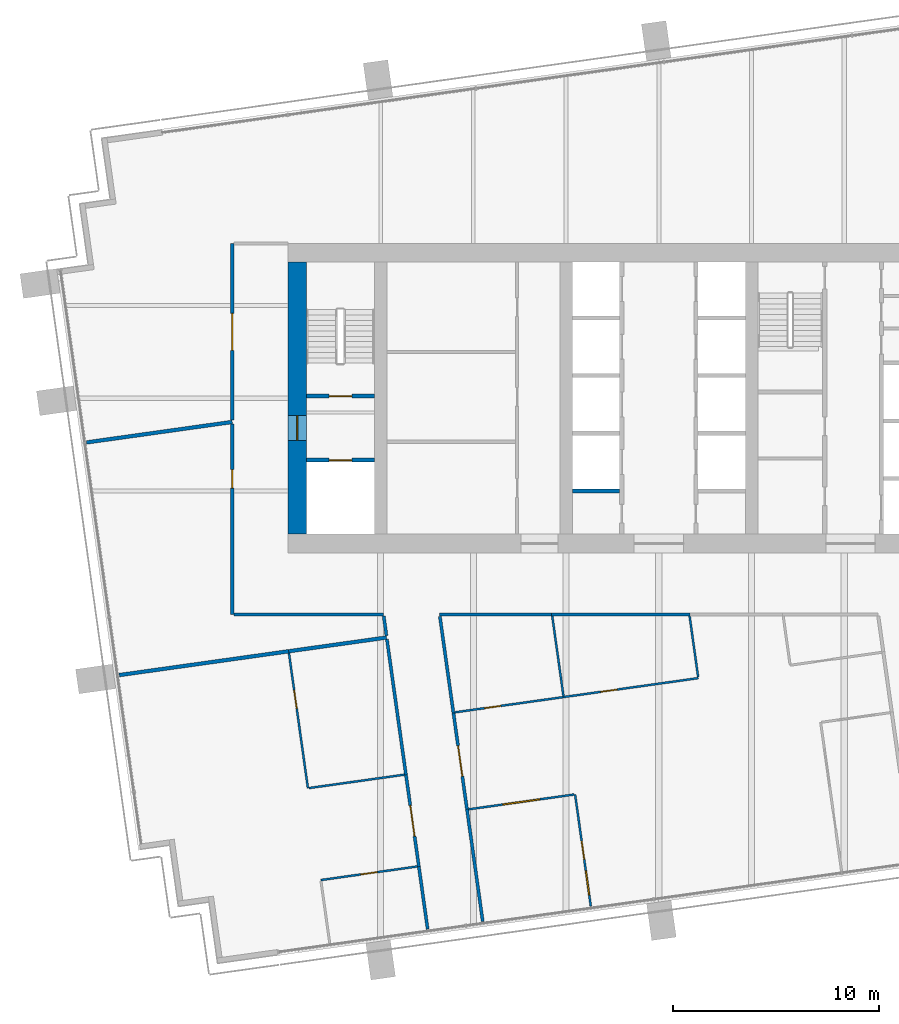
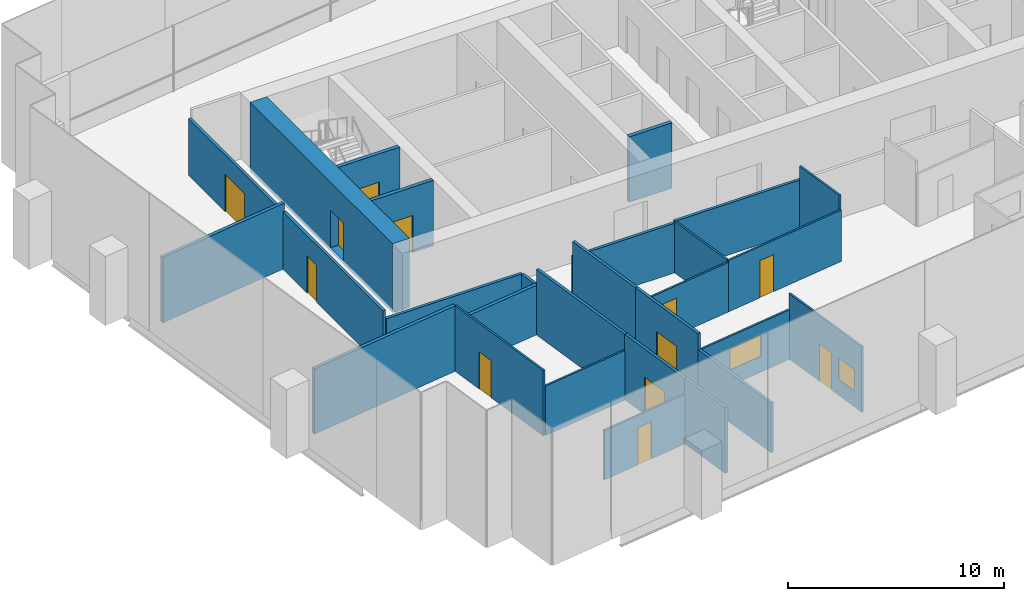
# One storey, part 9 of 17: 28 walls, 12 doors, 2 windows, 14 openings.
"""IFC4 building model written with IfcOpenShell, lengths in metres."""

from ifc_helpers import new_model, si_unit, direction, frame, frame_2d, origin, place, context, subcontext, project, spatial, rectangle, extrude, material, layer, layer_set, type_object, element, fill, save


model = new_model("IFC4")

# Units and contexts
model_context = context("Model", 3, precision=1e-05, world=origin(), true_north=direction((0.0, 1.0)))
body_context = subcontext(model_context, "Body", "Model", "MODEL_VIEW")
ifc_project = project(units=[si_unit("LENGTHUNIT", "METRE"), si_unit("AREAUNIT", "SQUARE_METRE"), si_unit("VOLUMEUNIT", "CUBIC_METRE"), si_unit("PLANEANGLEUNIT", "RADIAN"), si_unit("MASSUNIT", "GRAM", prefix="KILO")], contexts=[model_context])

# Site, building, storey
site_placement = place(None, origin())
site = spatial("IfcSite", under=ifc_project, at=site_placement, CompositionType="ELEMENT")
building_placement = place(site_placement, origin())
building = spatial("IfcBuilding", under=site, at=building_placement, Name="Rattan Terrace Tower", CompositionType="ELEMENT")
storey_placement = place(building_placement, frame((0.0, 0.0, 180.199951171875)))
storey = spatial("IfcBuildingStorey", under=building, at=storey_placement, Name="L41", CompositionType="ELEMENT", Elevation=180.199951171875)

# Wall, opening, door
ifc_material_1 = material(Name="Gypsum board partition")
ifc_layer_1 = layer(ifc_material_1, 0.199951171875)
ifc_layer_set_1 = layer_set([ifc_layer_1], Name="Core partition 200")
wall_type_1 = type_object("IfcWallType", Name="Core partition 200", PredefinedType="PARTITIONING", material=ifc_layer_set_1)
wall_1_placement = place(storey_placement, frame((-17.10009765625, -3.0, 0.0), z_axis=(0.0, 0.0, 1.0), x_axis=(1.0, 0.0, 0.0)))
wall_1 = element("IfcWall", 1, at=wall_1_placement, inside=storey, type_object=wall_type_1, Name="Fire-fighting lobby wall", PredefinedType="PARTITIONING", context=body_context, shape_type="SweptSolid", body=[
    extrude(rectangle(XDim=3.300048828125, YDim=0.199951171875, at=frame_2d((1.64990234375, 0.0))), origin(), (0.0, 0.0, 1.0), 3.699951171875),
])
opening_1_placement = place(wall_1_placement, frame((1.10009765625, 0.0, 0.0)))
opening_1 = element("IfcOpeningElement", 2, at=opening_1_placement, cuts=wall_1, Name="Opening L41-LD-FF1", PredefinedType="OPENING", context=body_context, shape_type="SweptSolid", body=[
    extrude(rectangle(XDim=1.10009765625, YDim=2.10009765625, at=frame_2d((0.550048828125, 1.050048828125))), frame((0.0, 0.110595703125, 0.0), z_axis=(0.0, -1.0, 0.0), x_axis=(1.0, 0.0, 0.0)), (0.0, 0.0, 1.0), 0.220947265625),
])
ifc_material_2 = material(Name="Brushed stainless landing door panel")
door_type_1 = type_object("IfcDoorType", Name="Core lift landing door 1100", OperationType="DOUBLE_DOOR_SLIDING", PredefinedType="DOOR", material=ifc_material_2)
door_1_placement = place(opening_1_placement, origin())
door_1 = element("IfcDoor", 3, at=door_1_placement, inside=storey, type_object=door_type_1, Name="Door L41-LD-FF1", OperationType="DOUBLE_DOOR_SLIDING", OverallHeight=2.10009765625, OverallWidth=1.10009765625, PredefinedType="DOOR", context=body_context, shape_type="SweptSolid", body=[
    extrude(rectangle(XDim=1.10009765625, YDim=2.10009765625, at=frame_2d((0.550048828125, 1.050048828125))), frame((0.0, 0.02490234375, 0.0), z_axis=(0.0, -1.0, 0.0), x_axis=(1.0, 0.0, 0.0)), (0.0, 0.0, 1.0), 0.050048828125),
])
fill(opening_1, door_1)

wall_2_placement = place(storey_placement, frame((-17.10009765625, 0.10009765625, 0.0), z_axis=(0.0, 0.0, 1.0), x_axis=(1.0, 0.0, 0.0)))
wall_2 = element("IfcWall", 4, at=wall_2_placement, inside=storey, type_object=wall_type_1, Name="Stair enclosure wall", PredefinedType="PARTITIONING", context=body_context, shape_type="SweptSolid", body=[
    extrude(rectangle(XDim=3.300048828125, YDim=0.199951171875, at=frame_2d((1.64990234375, 0.0))), origin(), (0.0, 0.0, 1.0), 3.699951171875),
])
opening_2_placement = place(wall_2_placement, frame((1.10009765625, 0.0, 0.0)))
opening_2 = element("IfcOpeningElement", 5, at=opening_2_placement, cuts=wall_2, Name="Opening L41-D002", PredefinedType="OPENING", context=body_context, shape_type="SweptSolid", body=[
    extrude(rectangle(XDim=1.10009765625, YDim=2.10009765625, at=frame_2d((0.550048828125, 1.050048828125))), frame((0.0, 0.110595703125, 0.0), z_axis=(0.0, -1.0, 0.0), x_axis=(1.0, 0.0, 0.0)), (0.0, 0.0, 1.0), 0.220947265625),
])
ifc_material_3 = material(Name="Hollow-metal fire door leaf")
door_type_2 = type_object("IfcDoorType", Name="Core stair door 1100", OperationType="NOTDEFINED", PredefinedType="DOOR", material=ifc_material_3)
door_2_placement = place(opening_2_placement, origin())
door_2 = element("IfcDoor", 6, at=door_2_placement, inside=storey, type_object=door_type_2, Name="Door L41-D002", OperationType="SINGLE_SWING_RIGHT", OverallHeight=2.10009765625, OverallWidth=1.10009765625, PredefinedType="DOOR", context=body_context, shape_type="SweptSolid", body=[
    extrude(rectangle(XDim=1.10009765625, YDim=2.10009765625, at=frame_2d((0.550048828125, 1.050048828125))), frame((0.0, 0.02490234375, 0.0), z_axis=(0.0, -1.0, 0.0), x_axis=(1.0, 0.0, 0.0)), (0.0, 0.0, 1.0), 0.050048828125),
])
fill(opening_2, door_2)

ifc_material_4 = material(Name="Concrete C60/75", Category="concrete")
ifc_layer_2 = layer(ifc_material_4, 0.89990234375)
ifc_layer_set_2 = layer_set([ifc_layer_2], Name="Core ring wall 900 C60/75")
wall_type_2 = type_object("IfcWallType", Name="Core ring wall 900 C60/75", PredefinedType="SHEAR", material=ifc_layer_set_2)
wall_3_placement = place(storey_placement, frame((-17.550048828125, -6.60009765625, -0.199951171875), z_axis=(0.0, 0.0, 1.0), x_axis=(0.0, 1.0, 0.0)))
wall_3 = element("IfcWall", 7, at=wall_3_placement, inside=storey, type_object=wall_type_2, Name="Rear core wall west", PredefinedType="SHEAR", context=body_context, shape_type="SweptSolid", body=[
    extrude(rectangle(XDim=13.2001953125, YDim=0.89990234375, at=frame_2d((6.60009765625, 0.0))), origin(), (0.0, 0.0, 1.0), 3.89990234375),
])
opening_3_placement = place(wall_3_placement, frame((4.550048828125, 0.0, 0.199951171875)))
opening_3 = element("IfcOpeningElement", 8, at=opening_3_placement, cuts=wall_3, Name="Opening L41-D001", PredefinedType="OPENING", context=body_context, shape_type="SweptSolid", body=[
    extrude(rectangle(XDim=1.199951171875, YDim=2.10009765625, at=frame_2d((0.60009765625, 1.050048828125))), frame((0.0, 0.46044921875, 0.0), z_axis=(0.0, -1.0, 0.0), x_axis=(1.0, 0.0, 0.0)), (0.0, 0.0, 1.0), 0.9208984375),
])
ifc_material_5 = material(Name="Hollow-metal fire door leaf")
door_type_3 = type_object("IfcDoorType", Name="Core fire-fighting lobby door 1200", OperationType="NOTDEFINED", PredefinedType="DOOR", material=ifc_material_5)
door_3_placement = place(opening_3_placement, origin())
door_3 = element("IfcDoor", 9, at=door_3_placement, inside=storey, type_object=door_type_3, Name="Door L41-D001", OperationType="SINGLE_SWING_LEFT", OverallHeight=2.10009765625, OverallWidth=1.199951171875, PredefinedType="DOOR", context=body_context, shape_type="SweptSolid", body=[
    extrude(rectangle(XDim=1.199951171875, YDim=2.10009765625, at=frame_2d((0.60009765625, 1.050048828125))), frame((0.0, 0.02490234375, 0.0), z_axis=(0.0, -1.0, 0.0), x_axis=(1.0, 0.0, 0.0)), (0.0, 0.0, 1.0), 0.050048828125),
])
fill(opening_3, door_3)

# Walls
ifc_material_6 = material(Name="Double steel stud acoustic partition, gypsum board, mineral wool, fire rated", Category="steel")
ifc_layer_3 = layer(ifc_material_6, 0.179931640625)
ifc_layer_set_3 = layer_set([ifc_layer_3], Name="Floors Acoustic Party Wall 180")
wall_type_3 = type_object("IfcWallType", Name="Floors Acoustic Party Wall 180", PredefinedType="PARTITIONING", material=ifc_layer_set_3)
wall_4_placement = place(storey_placement, frame((-26.18310546875, -13.43603515625, 0.0), z_axis=(0.0, 0.0, 1.0), x_axis=(0.990260506457, 0.139226898809, 0.0)))
element("IfcWall", 10, at=wall_4_placement, inside=storey, type_object=wall_type_3, Name="pt-L41-029", PredefinedType="PARTITIONING", context=body_context, shape_type="SweptSolid", body=[
    extrude(rectangle(XDim=8.302978515625, YDim=0.179931640625, at=frame_2d((4.1513671875, 0.0))), origin(), (0.0, 0.0, 1.0), 3.699951171875),
])
wall_5_placement = place(storey_placement, frame((-17.9609375, -12.280029296875, 0.0), z_axis=(0.0, 0.0, 1.0), x_axis=(0.990268412035, 0.139170658277, 0.0)))
element("IfcWall", 11, at=wall_5_placement, inside=storey, type_object=wall_type_3, Name="pt-L41-030", PredefinedType="PARTITIONING", context=body_context, shape_type="SweptSolid", body=[
    extrude(rectangle(XDim=4.799560546875, YDim=0.179931640625, at=frame_2d((2.39990234375, 0.0))), origin(), (0.0, 0.0, 1.0), 2.800048828125),
])
wall_6_placement = place(storey_placement, frame((-27.76904296875, -2.14599609375, 0.0), z_axis=(0.0, 0.0, 1.0), x_axis=(0.990279188786, 0.139093954785, 0.0)))
element("IfcWall", 12, at=wall_6_placement, inside=storey, type_object=wall_type_3, Name="pt-L41-039", PredefinedType="PARTITIONING", context=body_context, shape_type="SweptSolid", body=[
    extrude(rectangle(XDim=7.138427734375, YDim=0.179931640625, at=frame_2d((3.5693359375, 0.0))), origin(), (0.0, 0.0, 1.0), 3.699951171875),
])

# Wall, opening, door
ifc_material_7 = material(Name="Gypsum board partition on steel studs", Category="steel")
ifc_layer_4 = layer(ifc_material_7, 0.10009765625)
ifc_layer_set_4 = layer_set([ifc_layer_4], Name="Floors Partition 100")
wall_type_4 = type_object("IfcWallType", Name="Floors Partition 100", PredefinedType="PARTITIONING", material=ifc_layer_set_4)
wall_7_placement = place(storey_placement, frame((-11.720947265625, -22.722900390625, 0.0), z_axis=(0.0, 0.0, 1.0), x_axis=(-0.990254018594, -0.139273036368, 0.0)))
wall_7 = element("IfcWall", 13, at=wall_7_placement, inside=storey, type_object=wall_type_4, Name="pt-L41-026", PredefinedType="PARTITIONING", context=body_context, shape_type="SweptSolid", body=[
    extrude(rectangle(XDim=4.72607421875, YDim=0.10009765625, at=frame_2d((2.363037109375, 0.0))), origin(), (0.0, 0.0, 1.0), 2.800048828125),
])
opening_4_placement = place(wall_7_placement, frame((1.962890625, 0.0, 0.0)))
opening_4 = element("IfcOpeningElement", 14, at=opening_4_placement, cuts=wall_7, Name="Opening L41-D101", PredefinedType="OPENING", context=body_context, shape_type="SweptSolid", body=[
    extrude(rectangle(XDim=0.800048828125, YDim=2.10009765625, at=frame_2d((0.39990234375, 1.050048828125))), frame((0.0, 0.060546875, 0.0), z_axis=(0.0, -1.0, 0.0), x_axis=(1.0, 0.0, 0.0)), (0.0, 0.0, 1.0), 0.12109375),
])
ifc_material_8 = material(Name="Solid core timber door, painted", Category="wood")
door_type_4 = type_object("IfcDoorType", Name="Floors Store Door 800x2100", OperationType="NOTDEFINED", PredefinedType="DOOR", material=ifc_material_8)
door_4_placement = place(opening_4_placement, origin())
door_4 = element("IfcDoor", 15, at=door_4_placement, inside=storey, type_object=door_type_4, Name="d-L41-101", OperationType="SINGLE_SWING_RIGHT", OverallHeight=2.10009765625, OverallWidth=0.800048828125, PredefinedType="DOOR", context=body_context, shape_type="SweptSolid", body=[
    extrude(rectangle(XDim=0.800048828125, YDim=2.10009765625, at=frame_2d((0.39990234375, 1.050048828125))), frame((0.0, 0.02490234375, 0.0), z_axis=(0.0, -1.0, 0.0), x_axis=(1.0, 0.0, 0.0)), (0.0, 0.0, 1.0), 0.050048828125),
])
fill(opening_4, door_4)

wall_8_placement = place(storey_placement, frame((-17.948974609375, -12.368896484375, 0.0), z_axis=(0.0, 0.0, 1.0), x_axis=(0.1392424012, -0.990258326755, 0.0)))
wall_8 = element("IfcWall", 16, at=wall_8_placement, inside=storey, type_object=wall_type_4, Name="pt-L41-027", PredefinedType="PARTITIONING", context=body_context, shape_type="SweptSolid", body=[
    extrude(rectangle(XDim=6.62060546875, YDim=0.10009765625, at=frame_2d((3.310302734375, 0.0))), origin(), (0.0, 0.0, 1.0), 3.699951171875),
])
opening_5_placement = place(wall_8_placement, frame((1.81591796875, 0.0, 0.0)))
opening_5 = element("IfcOpeningElement", 17, at=opening_5_placement, cuts=wall_8, Name="Opening L41-D102", PredefinedType="OPENING", context=body_context, shape_type="SweptSolid", body=[
    extrude(rectangle(XDim=0.89990234375, YDim=2.10009765625, at=frame_2d((0.449951171875, 1.050048828125))), frame((0.0, 0.060546875, 0.0), z_axis=(0.0, -1.0, 0.0), x_axis=(1.0, 0.0, 0.0)), (0.0, 0.0, 1.0), 0.12109375),
])
ifc_material_9 = material(Name="Solid core timber door, painted", Category="wood")
door_type_5 = type_object("IfcDoorType", Name="Floors Door 900x2100", OperationType="NOTDEFINED", PredefinedType="DOOR", material=ifc_material_9)
door_5_placement = place(opening_5_placement, origin())
door_5 = element("IfcDoor", 18, at=door_5_placement, inside=storey, type_object=door_type_5, Name="d-L41-102", OperationType="SINGLE_SWING_LEFT", OverallHeight=2.10009765625, OverallWidth=0.89990234375, PredefinedType="DOOR", context=body_context, shape_type="SweptSolid", body=[
    extrude(rectangle(XDim=0.89990234375, YDim=2.10009765625, at=frame_2d((0.449951171875, 1.050048828125))), frame((0.0, 0.02490234375, 0.0), z_axis=(0.0, -1.0, 0.0), x_axis=(1.0, 0.0, 0.0)), (0.0, 0.0, 1.0), 0.050048828125),
])
fill(opening_5, door_5)

# Wall
wall_9_placement = place(storey_placement, frame((-16.97705078125, -18.91796875, 0.0), z_axis=(0.0, 0.0, 1.0), x_axis=(0.990292211818, 0.139001205793, 0.0)))
element("IfcWall", 19, at=wall_9_placement, inside=storey, type_object=wall_type_4, Name="pt-L41-028", PredefinedType="PARTITIONING", context=body_context, shape_type="SweptSolid", body=[
    extrude(rectangle(XDim=4.675537109375, YDim=0.10009765625, at=frame_2d((2.337890625, 0.0))), origin(), (0.0, 0.0, 1.0), 2.800048828125),
])

# Wall, opening, window
wall_10_placement = place(storey_placement, frame((-4.114013671875, -19.23095703125, 0.0), z_axis=(0.0, 0.0, 1.0), x_axis=(-0.990279259335, -0.139093452508, 0.0)))
wall_10 = element("IfcWall", 20, at=wall_10_placement, inside=storey, type_object=wall_type_4, Name="pt-L41-049", PredefinedType="PARTITIONING", context=body_context, shape_type="SweptSolid", body=[
    extrude(rectangle(XDim=5.169189453125, YDim=0.10009765625, at=frame_2d((2.58447265625, 0.0))), origin(), (0.0, 0.0, 1.0), 2.800048828125),
])
opening_6_placement = place(wall_10_placement, frame((1.68505859375, 0.0, 0.89990234375)))
opening_6 = element("IfcOpeningElement", 21, at=opening_6_placement, cuts=wall_10, Name="Opening L41-W101", PredefinedType="OPENING", context=body_context, shape_type="SweptSolid", body=[
    extrude(rectangle(XDim=1.800048828125, YDim=1.199951171875, at=frame_2d((0.89990234375, 0.60009765625))), frame((0.0, 0.060546875, 0.0), z_axis=(0.0, -1.0, 0.0), x_axis=(1.0, 0.0, 0.0)), (0.0, 0.0, 1.0), 0.12109375),
])
ifc_material_10 = material(Name="Glass, clear, fixed in aluminium frame", Category="aluminium")
window_type_1 = type_object("IfcWindowType", Name="Interior Vision Window 1800x1200", PartitioningType="SINGLE_PANEL", PredefinedType="WINDOW", material=ifc_material_10)
window_1_placement = place(opening_6_placement, origin())
window_1 = element("IfcWindow", 22, at=window_1_placement, inside=storey, type_object=window_type_1, Name="w-L41-101", OverallHeight=1.199951171875, OverallWidth=1.800048828125, PartitioningType="SINGLE_PANEL", PredefinedType="WINDOW", context=body_context, shape_type="SweptSolid", body=[
    extrude(rectangle(XDim=1.800048828125, YDim=1.199951171875, at=frame_2d((0.89990234375, 0.60009765625))), frame((0.0, 0.030029296875, 0.0), z_axis=(0.0, -1.0, 0.0), x_axis=(1.0, 0.0, 0.0)), (0.0, 0.0, 1.0), 0.06005859375),
])
fill(opening_6, window_1)

# Wall, openings, door, window
wall_11_placement = place(storey_placement, frame((-3.301025390625, -24.64990234375, 0.0), z_axis=(0.0, 0.0, 1.0), x_axis=(-0.139243907894, 0.990258114894, 0.0)))
wall_11 = element("IfcWall", 23, at=wall_11_placement, inside=storey, type_object=wall_type_4, Name="pt-L41-050", PredefinedType="PARTITIONING", context=body_context, shape_type="SweptSolid", body=[
    extrude(rectangle(XDim=5.479248046875, YDim=0.10009765625, at=frame_2d((2.73974609375, 0.0))), origin(), (0.0, 0.0, 1.0), 3.699951171875),
])
opening_7_placement = place(wall_11_placement, frame((2.2900390625, 0.0, 0.0)))
opening_7 = element("IfcOpeningElement", 24, at=opening_7_placement, cuts=wall_11, Name="Opening L41-D113", PredefinedType="OPENING", context=body_context, shape_type="SweptSolid", body=[
    extrude(rectangle(XDim=0.89990234375, YDim=2.10009765625, at=frame_2d((0.449951171875, 1.050048828125))), frame((0.0, 0.060546875, 0.0), z_axis=(0.0, -1.0, 0.0), x_axis=(1.0, 0.0, 0.0)), (0.0, 0.0, 1.0), 0.12109375),
])
opening_8_placement = place(wall_11_placement, frame((0.544921875, 0.0, 0.89990234375)))
opening_8 = element("IfcOpeningElement", 25, at=opening_8_placement, cuts=wall_11, Name="Opening L41-W102", PredefinedType="OPENING", context=body_context, shape_type="SweptSolid", body=[
    extrude(rectangle(XDim=1.199951171875, YDim=1.199951171875, at=frame_2d((0.60009765625, 0.60009765625))), frame((0.0, 0.060546875, 0.0), z_axis=(0.0, -1.0, 0.0), x_axis=(1.0, 0.0, 0.0)), (0.0, 0.0, 1.0), 0.12109375),
])
door_6_placement = place(opening_7_placement, origin())
door_6 = element("IfcDoor", 26, at=door_6_placement, inside=storey, type_object=door_type_5, Name="d-L41-113", OperationType="SINGLE_SWING_RIGHT", OverallHeight=2.10009765625, OverallWidth=0.89990234375, PredefinedType="DOOR", context=body_context, shape_type="SweptSolid", body=[
    extrude(rectangle(XDim=0.89990234375, YDim=2.10009765625, at=frame_2d((0.449951171875, 1.050048828125))), frame((0.0, 0.02490234375, 0.0), z_axis=(0.0, -1.0, 0.0), x_axis=(1.0, 0.0, 0.0)), (0.0, 0.0, 1.0), 0.050048828125),
])
fill(opening_7, door_6)
ifc_material_11 = material(Name="Glass, clear, fixed in aluminium frame", Category="aluminium")
window_type_2 = type_object("IfcWindowType", Name="Interior Vision Window 1200x1200", PartitioningType="SINGLE_PANEL", PredefinedType="WINDOW", material=ifc_material_11)
window_2_placement = place(opening_8_placement, origin())
window_2 = element("IfcWindow", 27, at=window_2_placement, inside=storey, type_object=window_type_2, Name="w-L41-102", OverallHeight=1.199951171875, OverallWidth=1.199951171875, PartitioningType="SINGLE_PANEL", PredefinedType="WINDOW", context=body_context, shape_type="SweptSolid", body=[
    extrude(rectangle(XDim=1.199951171875, YDim=1.199951171875, at=frame_2d((0.60009765625, 0.60009765625))), frame((0.0, 0.030029296875, 0.0), z_axis=(0.0, -1.0, 0.0), x_axis=(1.0, 0.0, 0.0)), (0.0, 0.0, 1.0), 0.06005859375),
])
fill(opening_8, window_2)

# Wall, opening, door
wall_12_placement = place(storey_placement, frame((-9.89501953125, -15.242919921875, 0.0), z_axis=(0.0, 0.0, 1.0), x_axis=(0.99027719117, 0.139108176064, 0.0)))
wall_12 = element("IfcWall", 28, at=wall_12_placement, inside=storey, type_object=wall_type_4, Name="pt-L41-053", PredefinedType="PARTITIONING", context=body_context, shape_type="SweptSolid", body=[
    extrude(rectangle(XDim=5.305419921875, YDim=0.10009765625, at=frame_2d((2.65283203125, 0.0))), origin(), (0.0, 0.0, 1.0), 2.800048828125),
])
opening_9_placement = place(wall_12_placement, frame((1.451904296875, 0.0, 0.0)))
opening_9 = element("IfcOpeningElement", 29, at=opening_9_placement, cuts=wall_12, Name="Opening L41-D115", PredefinedType="OPENING", context=body_context, shape_type="SweptSolid", body=[
    extrude(rectangle(XDim=0.800048828125, YDim=2.10009765625, at=frame_2d((0.39990234375, 1.050048828125))), frame((0.0, 0.060546875, 0.0), z_axis=(0.0, -1.0, 0.0), x_axis=(1.0, 0.0, 0.0)), (0.0, 0.0, 1.0), 0.12109375),
])
door_7_placement = place(opening_9_placement, origin())
door_7 = element("IfcDoor", 30, at=door_7_placement, inside=storey, type_object=door_type_4, Name="d-L41-115", OperationType="SINGLE_SWING_LEFT", OverallHeight=2.10009765625, OverallWidth=0.800048828125, PredefinedType="DOOR", context=body_context, shape_type="SweptSolid", body=[
    extrude(rectangle(XDim=0.800048828125, YDim=2.10009765625, at=frame_2d((0.39990234375, 1.050048828125))), frame((0.0, 0.02490234375, 0.0), z_axis=(0.0, -1.0, 0.0), x_axis=(1.0, 0.0, 0.0)), (0.0, 0.0, 1.0), 0.050048828125),
])
fill(opening_9, door_7)

wall_13_placement = place(storey_placement, frame((-4.64111328125, -14.5048828125, 0.0), z_axis=(0.0, 0.0, 1.0), x_axis=(0.990258326755, 0.1392424012, 0.0)))
wall_13 = element("IfcWall", 31, at=wall_13_placement, inside=storey, type_object=wall_type_4, Name="pt-L41-054", PredefinedType="PARTITIONING", context=body_context, shape_type="SweptSolid", body=[
    extrude(rectangle(XDim=6.62060546875, YDim=0.10009765625, at=frame_2d((3.310302734375, 0.0))), origin(), (0.0, 0.0, 1.0), 2.900146484375),
])
opening_10_placement = place(wall_13_placement, frame((1.845947265625, 0.0, 0.0)))
opening_10 = element("IfcOpeningElement", 32, at=opening_10_placement, cuts=wall_13, Name="Opening L41-D116", PredefinedType="OPENING", context=body_context, shape_type="SweptSolid", body=[
    extrude(rectangle(XDim=0.800048828125, YDim=2.10009765625, at=frame_2d((0.39990234375, 1.050048828125))), frame((0.0, 0.060546875, 0.0), z_axis=(0.0, -1.0, 0.0), x_axis=(1.0, 0.0, 0.0)), (0.0, 0.0, 1.0), 0.12109375),
])
door_8_placement = place(opening_10_placement, origin())
door_8 = element("IfcDoor", 33, at=door_8_placement, inside=storey, type_object=door_type_4, Name="d-L41-116", OperationType="SINGLE_SWING_LEFT", OverallHeight=2.10009765625, OverallWidth=0.800048828125, PredefinedType="DOOR", context=body_context, shape_type="SweptSolid", body=[
    extrude(rectangle(XDim=0.800048828125, YDim=2.10009765625, at=frame_2d((0.39990234375, 1.050048828125))), frame((0.0, 0.02490234375, 0.0), z_axis=(0.0, -1.0, 0.0), x_axis=(1.0, 0.0, 0.0)), (0.0, 0.0, 1.0), 0.050048828125),
])
fill(opening_10, door_8)

# Walls
wall_14_placement = place(storey_placement, frame((1.907958984375, -13.532958984375, 0.0), z_axis=(0.0, 0.0, 1.0), x_axis=(-0.138954956276, 0.990298702476, 0.0)))
element("IfcWall", 34, at=wall_14_placement, inside=storey, type_object=wall_type_4, Name="pt-L41-055", PredefinedType="PARTITIONING", context=body_context, shape_type="SweptSolid", body=[
    extrude(rectangle(XDim=2.993896484375, YDim=0.10009765625, at=frame_2d((1.4970703125, 0.0))), origin(), (0.0, 0.0, 1.0), 3.699951171875),
])
wall_15_placement = place(storey_placement, frame((-5.173095703125, -10.568115234375, 0.0), z_axis=(0.0, 0.0, 1.0), x_axis=(0.139006835826, -0.990291421549, 0.0)))
element("IfcWall", 35, at=wall_15_placement, inside=storey, type_object=wall_type_4, Name="pt-L41-058", PredefinedType="PARTITIONING", context=body_context, shape_type="SweptSolid", body=[
    extrude(rectangle(XDim=3.921875, YDim=0.10009765625, at=frame_2d((1.9609375, 0.0))), origin(), (0.0, 0.0, 1.0), 2.900146484375),
])

# Wall, opening, door
ifc_material_12 = material(Name="Gypsum board partition on steel studs, fire rated", Category="steel")
ifc_layer_5 = layer(ifc_material_12, 0.14990234375)
ifc_layer_set_5 = layer_set([ifc_layer_5], Name="Floors Tenancy Wall 150")
wall_type_5 = type_object("IfcWallType", Name="Floors Tenancy Wall 150", PredefinedType="PARTITIONING", material=ifc_layer_set_5)
wall_16_placement = place(storey_placement, frame((-11.64404296875, -22.73291015625, 0.0), z_axis=(0.0, 0.0, 1.0), x_axis=(-0.139081954514, 0.990280874262, 0.0)))
wall_16 = element("IfcWall", 36, at=wall_16_placement, inside=storey, type_object=wall_type_5, Name="pt-L41-001", PredefinedType="PARTITIONING", context=body_context, shape_type="SweptSolid", body=[
    extrude(rectangle(XDim=4.500732421875, YDim=0.14990234375, at=frame_2d((2.25048828125, 0.0))), origin(), (0.0, 0.0, 1.0), 3.699951171875),
])
opening_11_placement = place(wall_16_placement, frame((1.5, 0.0, 0.0)))
opening_11 = element("IfcOpeningElement", 37, at=opening_11_placement, cuts=wall_16, Name="Opening L41-D100", PredefinedType="OPENING", context=body_context, shape_type="SweptSolid", body=[
    extrude(rectangle(XDim=1.5, YDim=2.10009765625, at=frame_2d((0.75, 1.050048828125))), frame((0.0, 0.08544921875, 0.0), z_axis=(0.0, -1.0, 0.0), x_axis=(1.0, 0.0, 0.0)), (0.0, 0.0, 1.0), 0.1708984375),
])
ifc_material_13 = material(Name="Steel fire door set", Category="steel")
door_type_6 = type_object("IfcDoorType", Name="Floors Unit Door Pair FD30S 1500x2100", OperationType="NOTDEFINED", PredefinedType="DOOR", material=ifc_material_13)
door_9_placement = place(opening_11_placement, origin())
door_9 = element("IfcDoor", 38, at=door_9_placement, inside=storey, type_object=door_type_6, Name="d-L41-100", OperationType="DOUBLE_DOOR_SINGLE_SWING", OverallHeight=2.10009765625, OverallWidth=1.5, PredefinedType="DOOR", context=body_context, shape_type="SweptSolid", body=[
    extrude(rectangle(XDim=1.5, YDim=2.10009765625, at=frame_2d((0.75, 1.050048828125))), frame((0.0, 0.02490234375, 0.0), z_axis=(0.0, -1.0, 0.0), x_axis=(1.0, 0.0, 0.0)), (0.0, 0.0, 1.0), 0.050048828125),
])
fill(opening_11, door_9)

# Walls
wall_17_placement = place(storey_placement, frame((-11.218017578125, -25.762939453125, 0.0), z_axis=(0.0, 0.0, 1.0), x_axis=(-0.139187613425, 0.990266029039, 0.0)))
element("IfcWall", 39, at=wall_17_placement, inside=storey, type_object=wall_type_5, Name="pt-L41-002", PredefinedType="PARTITIONING", context=body_context, shape_type="SweptSolid", body=[
    extrude(rectangle(XDim=3.060791015625, YDim=0.14990234375, at=frame_2d((1.5302734375, 0.0))), origin(), (0.0, 0.0, 1.0), 3.699951171875),
])
wall_18_placement = place(storey_placement, frame((-12.27001953125, -18.277099609375, 0.0), z_axis=(0.0, 0.0, 1.0), x_axis=(-0.139151184207, 0.990271148693, 0.0)))
element("IfcWall", 40, at=wall_18_placement, inside=storey, type_object=wall_type_5, Name="pt-L41-003", PredefinedType="PARTITIONING", context=body_context, shape_type="SweptSolid", body=[
    extrude(rectangle(XDim=6.640869140625, YDim=0.14990234375, at=frame_2d((3.3203125, 0.0))), origin(), (0.0, 0.0, 1.0), 3.699951171875),
])

# Wall, opening, door
wall_19_placement = place(storey_placement, frame((-20.699951171875, -10.5, 0.0), z_axis=(0.0, 0.0, 1.0), x_axis=(0.0, 1.0, 0.0)))
wall_19 = element("IfcWall", 41, at=wall_19_placement, inside=storey, type_object=wall_type_5, Name="pt-L41-007", PredefinedType="PARTITIONING", context=body_context, shape_type="SweptSolid", body=[
    extrude(rectangle(XDim=9.24609375, YDim=0.14990234375, at=frame_2d((4.623046875, 0.0))), origin(), (0.0, 0.0, 1.0), 3.25),
])
opening_12_placement = place(wall_19_placement, frame((6.134033203125, 0.0, 0.0)))
opening_12 = element("IfcOpeningElement", 42, at=opening_12_placement, cuts=wall_19, Name="Opening L41-D106", PredefinedType="OPENING", context=body_context, shape_type="SweptSolid", body=[
    extrude(rectangle(XDim=0.89990234375, YDim=2.10009765625, at=frame_2d((0.449951171875, 1.050048828125))), frame((0.0, 0.08544921875, 0.0), z_axis=(0.0, -1.0, 0.0), x_axis=(1.0, 0.0, 0.0)), (0.0, 0.0, 1.0), 0.1708984375),
])
ifc_material_14 = material(Name="Steel fire door set", Category="steel")
door_type_7 = type_object("IfcDoorType", Name="Floors Fire Door FD30S 900x2100", OperationType="NOTDEFINED", PredefinedType="DOOR", material=ifc_material_14)
door_10_placement = place(opening_12_placement, origin())
door_10 = element("IfcDoor", 43, at=door_10_placement, inside=storey, type_object=door_type_7, Name="d-L41-106", OperationType="SINGLE_SWING_RIGHT", OverallHeight=2.10009765625, OverallWidth=0.89990234375, PredefinedType="DOOR", context=body_context, shape_type="SweptSolid", body=[
    extrude(rectangle(XDim=0.89990234375, YDim=2.10009765625, at=frame_2d((0.449951171875, 1.050048828125))), frame((0.0, 0.02490234375, 0.0), z_axis=(0.0, -1.0, 0.0), x_axis=(1.0, 0.0, 0.0)), (0.0, 0.0, 1.0), 0.050048828125),
])
fill(opening_12, door_10)

# Walls
wall_20_placement = place(storey_placement, frame((-13.363037109375, -10.5, 0.0), z_axis=(0.0, 0.0, 1.0), x_axis=(-1.0, 0.0, 0.0)))
element("IfcWall", 44, at=wall_20_placement, inside=storey, type_object=wall_type_5, Name="pt-L41-008", PredefinedType="PARTITIONING", context=body_context, shape_type="SweptSolid", body=[
    extrude(rectangle(XDim=7.261962890625, YDim=0.14990234375, at=frame_2d((3.630859375, 0.0))), origin(), (0.0, 0.0, 1.0), 2.800048828125),
])
wall_21_placement = place(storey_placement, frame((-13.217041015625, -11.52197265625, 0.0), z_axis=(0.0, 0.0, 1.0), x_axis=(-0.138852741578, 0.990313039476, 0.0)))
element("IfcWall", 45, at=wall_21_placement, inside=storey, type_object=wall_type_5, Name="pt-L41-009", PredefinedType="PARTITIONING", context=body_context, shape_type="SweptSolid", body=[
    extrude(rectangle(XDim=0.958251953125, YDim=0.14990234375, at=frame_2d((0.47900390625, 0.0))), origin(), (0.0, 0.0, 1.0), 2.800048828125),
])

# Wall, opening, door
wall_22_placement = place(storey_placement, frame((-20.699951171875, -1.06396484375, 0.0), z_axis=(0.0, 0.0, 1.0), x_axis=(0.0, 1.0, 0.0)))
wall_22 = element("IfcWall", 46, at=wall_22_placement, inside=storey, type_object=wall_type_5, Name="pt-L41-011", PredefinedType="PARTITIONING", context=body_context, shape_type="SweptSolid", body=[
    extrude(rectangle(XDim=8.56396484375, YDim=0.14990234375, at=frame_2d((4.281982421875, 0.0))), origin(), (0.0, 0.0, 1.0), 3.199951171875),
])
opening_13_placement = place(wall_22_placement, frame((3.382080078125, 0.0, 0.0)))
opening_13 = element("IfcOpeningElement", 47, at=opening_13_placement, cuts=wall_22, Name="Opening L41-D110", PredefinedType="OPENING", context=body_context, shape_type="SweptSolid", body=[
    extrude(rectangle(XDim=1.800048828125, YDim=2.10009765625, at=frame_2d((0.89990234375, 1.050048828125))), frame((0.0, 0.08544921875, 0.0), z_axis=(0.0, -1.0, 0.0), x_axis=(1.0, 0.0, 0.0)), (0.0, 0.0, 1.0), 0.1708984375),
])
ifc_material_15 = material(Name="Steel fire door set", Category="steel")
door_type_8 = type_object("IfcDoorType", Name="Floors Fire Door Pair FD30S 1800x2100", OperationType="NOTDEFINED", PredefinedType="DOOR", material=ifc_material_15)
door_11_placement = place(opening_13_placement, origin())
door_11 = element("IfcDoor", 48, at=door_11_placement, inside=storey, type_object=door_type_8, Name="d-L41-110", OperationType="DOUBLE_DOOR_SINGLE_SWING", OverallHeight=2.10009765625, OverallWidth=1.800048828125, PredefinedType="DOOR", context=body_context, shape_type="SweptSolid", body=[
    extrude(rectangle(XDim=1.800048828125, YDim=2.10009765625, at=frame_2d((0.89990234375, 1.050048828125))), frame((0.0, 0.02490234375, 0.0), z_axis=(0.0, -1.0, 0.0), x_axis=(1.0, 0.0, 0.0)), (0.0, 0.0, 1.0), 0.050048828125),
])
fill(opening_13, door_11)

wall_23_placement = place(storey_placement, frame((-9.966064453125, -15.27294921875, 0.0), z_axis=(0.0, 0.0, 1.0), x_axis=(0.139137407344, -0.990273084496, 0.0)))
wall_23 = element("IfcWall", 49, at=wall_23_placement, inside=storey, type_object=wall_type_5, Name="pt-L41-015", PredefinedType="PARTITIONING", context=body_context, shape_type="SweptSolid", body=[
    extrude(rectangle(XDim=4.71484375, YDim=0.14990234375, at=frame_2d((2.357421875, 0.0))), origin(), (0.0, 0.0, 1.0), 3.699951171875),
])
opening_14_placement = place(wall_23_placement, frame((1.60693359375, 0.0, 0.0)))
opening_14 = element("IfcOpeningElement", 50, at=opening_14_placement, cuts=wall_23, Name="Opening L41-D112", PredefinedType="OPENING", context=body_context, shape_type="SweptSolid", body=[
    extrude(rectangle(XDim=1.5, YDim=2.10009765625, at=frame_2d((0.75, 1.050048828125))), frame((0.0, 0.08544921875, 0.0), z_axis=(0.0, -1.0, 0.0), x_axis=(1.0, 0.0, 0.0)), (0.0, 0.0, 1.0), 0.1708984375),
])
door_12_placement = place(opening_14_placement, origin())
door_12 = element("IfcDoor", 51, at=door_12_placement, inside=storey, type_object=door_type_6, Name="d-L41-112", OperationType="DOUBLE_DOOR_SINGLE_SWING", OverallHeight=2.10009765625, OverallWidth=1.5, PredefinedType="DOOR", context=body_context, shape_type="SweptSolid", body=[
    extrude(rectangle(XDim=1.5, YDim=2.10009765625, at=frame_2d((0.75, 1.050048828125))), frame((0.0, 0.02490234375, 0.0), z_axis=(0.0, -1.0, 0.0), x_axis=(1.0, 0.0, 0.0)), (0.0, 0.0, 1.0), 0.050048828125),
])
fill(opening_14, door_12)

# Walls
wall_24_placement = place(storey_placement, frame((-9.31005859375, -19.94091796875, 0.0), z_axis=(0.0, 0.0, 1.0), x_axis=(0.139103174181, -0.990277893792, 0.0)))
element("IfcWall", 52, at=wall_24_placement, inside=storey, type_object=wall_type_5, Name="pt-L41-018", PredefinedType="PARTITIONING", context=body_context, shape_type="SweptSolid", body=[
    extrude(rectangle(XDim=5.50048828125, YDim=0.14990234375, at=frame_2d((2.750244140625, 0.0))), origin(), (0.0, 0.0, 1.0), 2.800048828125),
])
wall_25_placement = place(storey_placement, frame((-10.625, -10.5849609375, 0.0), z_axis=(0.0, 0.0, 1.0), x_axis=(0.138987741071, -0.990294101685, 0.0)))
element("IfcWall", 53, at=wall_25_placement, inside=storey, type_object=wall_type_5, Name="pt-L41-020", PredefinedType="PARTITIONING", context=body_context, shape_type="SweptSolid", body=[
    extrude(rectangle(XDim=4.73388671875, YDim=0.14990234375, at=frame_2d((2.366943359375, 0.0))), origin(), (0.0, 0.0, 1.0), 3.699951171875),
])
wall_26_placement = place(storey_placement, frame((-5.202880859375, -10.5, 0.0), z_axis=(0.0, 0.0, 1.0), x_axis=(-1.0, 0.0, 0.0)))
element("IfcWall", 54, at=wall_26_placement, inside=storey, type_object=wall_type_5, Name="pt-L41-021", PredefinedType="PARTITIONING", context=body_context, shape_type="SweptSolid", body=[
    extrude(rectangle(XDim=5.43408203125, YDim=0.14990234375, at=frame_2d((2.717041015625, 0.0))), origin(), (0.0, 0.0, 1.0), 2.800048828125),
])
wall_27_placement = place(storey_placement, frame((1.501953125, -10.5, 0.0), z_axis=(0.0, 0.0, 1.0), x_axis=(-1.0, 0.0, 0.0)))
element("IfcWall", 55, at=wall_27_placement, inside=storey, type_object=wall_type_5, Name="pt-L41-022", PredefinedType="PARTITIONING", context=body_context, shape_type="SweptSolid", body=[
    extrude(rectangle(XDim=6.704833984375, YDim=0.14990234375, at=frame_2d((3.3525390625, 0.0))), origin(), (0.0, 0.0, 1.0), 2.900146484375),
])
ifc_material_16 = material(Name="Gypsum shaft wall system")
ifc_layer_6 = layer(ifc_material_16, 0.199951171875)
ifc_layer_set_6 = layer_set([ifc_layer_6], Name="Lift shaft wall 200")
wall_type_6 = type_object("IfcWallType", Name="Lift shaft wall 200", PredefinedType="PARTITIONING", material=ifc_layer_set_6)
wall_28_placement = place(storey_placement, frame((-4.199951171875, -4.5, 0.0), z_axis=(0.0, 0.0, 1.0), x_axis=(1.0, 0.0, 0.0)))
element("IfcWall", 56, at=wall_28_placement, inside=storey, type_object=wall_type_6, Name="Lift shaft wall", PredefinedType="PARTITIONING", context=body_context, shape_type="SweptSolid", body=[
    extrude(rectangle(XDim=2.300048828125, YDim=0.199951171875, at=frame_2d((1.14990234375, 0.0))), origin(), (0.0, 0.0, 1.0), 3.699951171875),
])

save(model, "model.ifc")
